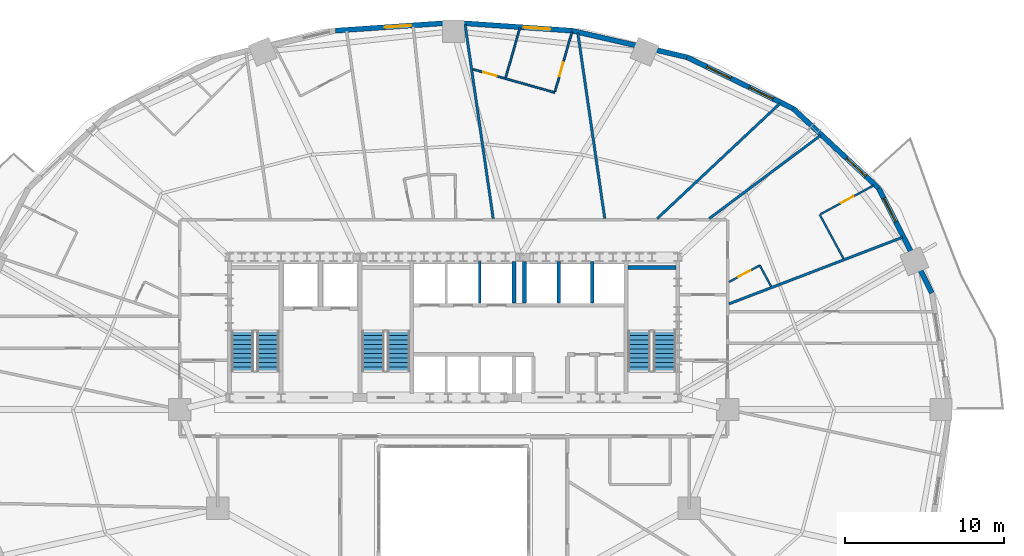
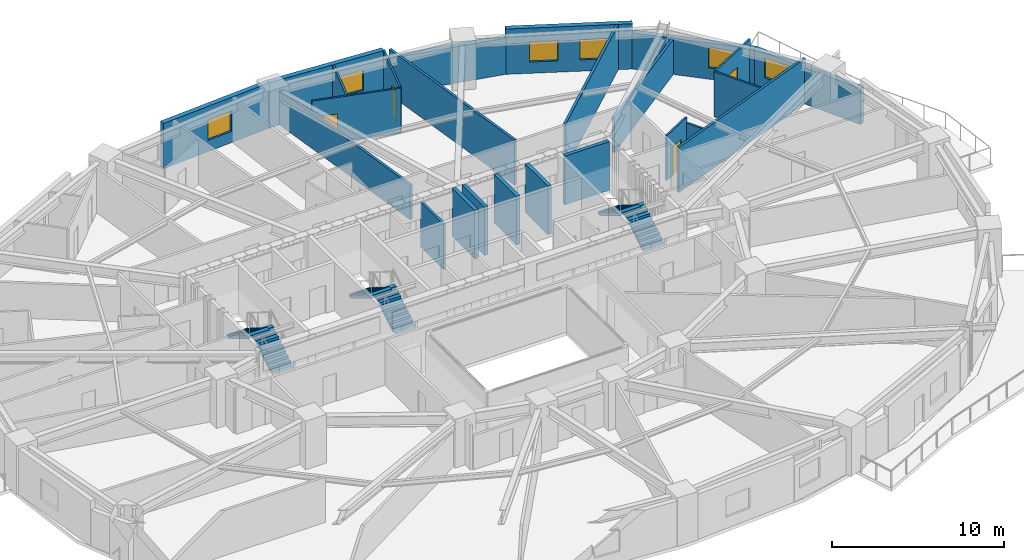
# One storey, part 13 of 17: 24 walls, 6 stair flights, 6 windows, 4 doors, 10 openings, 3 elements without a shape of their own.
"""IFC4 building model written with IfcOpenShell, lengths in metres."""

from ifc_helpers import new_model, si_unit, direction, frame, frame_2d, origin, place, context, subcontext, project, spatial, polyline, rectangle, outline, extrude, material, layer, layer_set, type_object, element, fill, aggregate, save


model = new_model("IFC4")

# Units and contexts
model_context = context("Model", 3, precision=1e-05, world=origin(), true_north=direction((0.0, 1.0)))
body_context = subcontext(model_context, "Body", "Model", "MODEL_VIEW")
ifc_project = project(units=[si_unit("LENGTHUNIT", "METRE"), si_unit("AREAUNIT", "SQUARE_METRE"), si_unit("VOLUMEUNIT", "CUBIC_METRE"), si_unit("PLANEANGLEUNIT", "RADIAN"), si_unit("MASSUNIT", "GRAM", prefix="KILO")], contexts=[model_context])

# Site, building, storey
site_placement = place(None, origin())
site = spatial("IfcSite", under=ifc_project, at=site_placement, CompositionType="ELEMENT")
building_placement = place(site_placement, origin())
building = spatial("IfcBuilding", under=site, at=building_placement, Name="Haldorwick Loom Tower", CompositionType="ELEMENT")
storey_placement = place(building_placement, frame((0.0, 0.0, 27.449951171875)))
storey = spatial("IfcBuildingStorey", under=building, at=storey_placement, Name="L06", CompositionType="ELEMENT", Elevation=27.449951171875)

# Wall, opening, window
ifc_material_1 = material(Name="Pressed Clay Face Brick and Insulated Masonry Backup Assembly", Category="masonry")
ifc_layer_1 = layer(ifc_material_1, 0.320068359375, Name="Pressed Clay Face Brick and Insulated Masonry Backup Assembly", Category="masonry")
ifc_layer_set_1 = layer_set([ifc_layer_1], Name="Pressed Clay Face Brick and Insulated Masonry Backup Assembly")
wall_type_1 = type_object("IfcWallType", Name="ARC-WL-EXT320", PredefinedType="STANDARD", material=ifc_layer_set_1)
wall_1_placement = place(storey_placement, frame((66.021728515625, 33.320556640625, 0.0), z_axis=(0.0, 0.0, 1.0), x_axis=(-0.452950855928, 0.891535485617, 0.0)))
wall_1 = element("IfcWall", 1, at=wall_1_placement, inside=storey, type_object=wall_type_1, Name="L06 Brick Pier and Spandrel Wall 2", PredefinedType="STANDARD", context=body_context, shape_type="SweptSolid", body=[
    extrude(rectangle(XDim=7.3583984375, YDim=0.320068359375, at=frame_2d((3.67919921875, 0.0))), origin(), (0.0, 0.0, 1.0), 2.569091796875),
])
opening_1_placement = place(wall_1_placement, frame((5.00927734375, 0.0, 0.800048828125)))
opening_1 = element("IfcOpeningElement", 2, at=opening_1_placement, cuts=wall_1, Name="Opening W-01B", PredefinedType="OPENING", context=body_context, shape_type="SweptSolid", body=[
    extrude(rectangle(XDim=1.64990234375, YDim=1.449951171875, at=frame_2d((0.824951171875, 0.72509765625))), frame((0.0, 0.169921875, 0.0), z_axis=(0.0, -1.0, 0.0), x_axis=(1.0, 0.0, 0.0)), (0.0, 0.0, 1.0), 0.340087890625),
])
ifc_material_2 = material(Name="Triple-Glazed Low-E Argon Insulated Glazing Unit", Category="glass")
window_type = type_object("IfcWindowType", Name="ARC-WIN-W165", PartitioningType="SINGLE_PANEL", PredefinedType="WINDOW", material=ifc_material_2)
window_1_placement = place(opening_1_placement, origin())
window_1 = element("IfcWindow", 3, at=window_1_placement, inside=storey, type_object=window_type, Name="L06 Deep-Set Zone 7A Window 2", OverallHeight=1.449951171875, OverallWidth=1.64990234375, PartitioningType="SINGLE_PANEL", PredefinedType="WINDOW", context=body_context, shape_type="SweptSolid", body=[
    extrude(rectangle(XDim=1.64990234375, YDim=1.449951171875, at=frame_2d((0.824951171875, 0.72509765625))), frame((0.0, 0.030029296875, 0.0), z_axis=(0.0, -1.0, 0.0), x_axis=(1.0, 0.0, 0.0)), (0.0, 0.0, 1.0), 0.06005859375),
])
fill(opening_1, window_1)

wall_2_placement = place(storey_placement, frame((62.688720703125, 39.880859375, 0.0), z_axis=(0.0, 0.0, 1.0), x_axis=(-0.73176101237, 0.681561311091, 0.0)))
wall_2 = element("IfcWall", 4, at=wall_2_placement, inside=storey, type_object=wall_type_1, Name="L06 Brick Pier and Spandrel Wall 3", PredefinedType="STANDARD", context=body_context, shape_type="SweptSolid", body=[
    extrude(rectangle(XDim=7.3583984375, YDim=0.320068359375, at=frame_2d((3.67919921875, 0.0))), origin(), (0.0, 0.0, 1.0), 2.569091796875),
])
opening_2_placement = place(wall_2_placement, frame((1.1181640625, 0.0, 0.800048828125)))
opening_2 = element("IfcOpeningElement", 5, at=opening_2_placement, cuts=wall_2, Name="Opening W-01B", PredefinedType="OPENING", context=body_context, shape_type="SweptSolid", body=[
    extrude(rectangle(XDim=1.64990234375, YDim=1.449951171875, at=frame_2d((0.824951171875, 0.72509765625))), frame((0.0, 0.169921875, 0.0), z_axis=(0.0, -1.0, 0.0), x_axis=(1.0, 0.0, 0.0)), (0.0, 0.0, 1.0), 0.340087890625),
])
window_2_placement = place(opening_2_placement, origin())
window_2 = element("IfcWindow", 6, at=window_2_placement, inside=storey, type_object=window_type, Name="L06 Deep-Set Zone 7A Window 3", OverallHeight=1.449951171875, OverallWidth=1.64990234375, PartitioningType="SINGLE_PANEL", PredefinedType="WINDOW", context=body_context, shape_type="SweptSolid", body=[
    extrude(rectangle(XDim=1.64990234375, YDim=1.449951171875, at=frame_2d((0.824951171875, 0.72509765625))), frame((0.0, 0.030029296875, 0.0), z_axis=(0.0, -1.0, 0.0), x_axis=(1.0, 0.0, 0.0)), (0.0, 0.0, 1.0), 0.06005859375),
])
fill(opening_2, window_2)

# Wall, openings, windows
wall_3_placement = place(storey_placement, frame((57.30419921875, 44.89599609375, 0.0), z_axis=(0.0, 0.0, 1.0), x_axis=(-0.900295710431, 0.435278800057, 0.0)))
wall_3 = element("IfcWall", 7, at=wall_3_placement, inside=storey, type_object=wall_type_1, Name="L06 Brick Pier and Spandrel Wall 4", PredefinedType="STANDARD", context=body_context, shape_type="SweptSolid", body=[
    extrude(rectangle(XDim=7.39697265625, YDim=0.320068359375, at=frame_2d((3.698486328125, 0.0))), origin(), (0.0, 0.0, 1.0), 3.2099609375),
])
opening_3_placement = place(wall_3_placement, frame((1.39404296875, 0.0, 0.800048828125)))
opening_3 = element("IfcOpeningElement", 8, at=opening_3_placement, cuts=wall_3, Name="Opening W-01B", PredefinedType="OPENING", context=body_context, shape_type="SweptSolid", body=[
    extrude(rectangle(XDim=1.64990234375, YDim=1.449951171875, at=frame_2d((0.824951171875, 0.72509765625))), frame((0.0, 0.169921875, 0.0), z_axis=(0.0, -1.0, 0.0), x_axis=(1.0, 0.0, 0.0)), (0.0, 0.0, 1.0), 0.340087890625),
])
opening_4_placement = place(wall_3_placement, frame((4.352783203125, 0.0, 0.800048828125)))
opening_4 = element("IfcOpeningElement", 9, at=opening_4_placement, cuts=wall_3, Name="Opening W-01B", PredefinedType="OPENING", context=body_context, shape_type="SweptSolid", body=[
    extrude(rectangle(XDim=1.64990234375, YDim=1.449951171875, at=frame_2d((0.824951171875, 0.72509765625))), frame((0.0, 0.169921875, 0.0), z_axis=(0.0, -1.0, 0.0), x_axis=(1.0, 0.0, 0.0)), (0.0, 0.0, 1.0), 0.340087890625),
])
window_3_placement = place(opening_3_placement, origin())
window_3 = element("IfcWindow", 10, at=window_3_placement, inside=storey, type_object=window_type, Name="L06 Deep-Set Zone 7A Window 4", OverallHeight=1.449951171875, OverallWidth=1.64990234375, PartitioningType="SINGLE_PANEL", PredefinedType="WINDOW", context=body_context, shape_type="SweptSolid", body=[
    extrude(rectangle(XDim=1.64990234375, YDim=1.449951171875, at=frame_2d((0.824951171875, 0.72509765625))), frame((0.0, 0.030029296875, 0.0), z_axis=(0.0, -1.0, 0.0), x_axis=(1.0, 0.0, 0.0)), (0.0, 0.0, 1.0), 0.06005859375),
])
fill(opening_3, window_3)
window_4_placement = place(opening_4_placement, origin())
window_4 = element("IfcWindow", 11, at=window_4_placement, inside=storey, type_object=window_type, Name="L06 Deep-Set Zone 7A Window 4", OverallHeight=1.449951171875, OverallWidth=1.64990234375, PartitioningType="SINGLE_PANEL", PredefinedType="WINDOW", context=body_context, shape_type="SweptSolid", body=[
    extrude(rectangle(XDim=1.64990234375, YDim=1.449951171875, at=frame_2d((0.824951171875, 0.72509765625))), frame((0.0, 0.030029296875, 0.0), z_axis=(0.0, -1.0, 0.0), x_axis=(1.0, 0.0, 0.0)), (0.0, 0.0, 1.0), 0.06005859375),
])
fill(opening_4, window_4)

# Wall
wall_4_placement = place(storey_placement, frame((50.644775390625, 48.11572265625, 0.0), z_axis=(0.0, 0.0, 1.0), x_axis=(-0.974522412345, 0.224290142088, 0.0)))
element("IfcWall", 12, at=wall_4_placement, inside=storey, type_object=wall_type_1, Name="L06 Brick Pier and Spandrel Wall 5", PredefinedType="STANDARD", context=body_context, shape_type="SweptSolid", body=[
    extrude(rectangle(XDim=7.422607421875, YDim=0.320068359375, at=frame_2d((3.71142578125, 0.0))), origin(), (0.0, 0.0, 1.0), 2.569091796875),
])

# Wall, opening, window
wall_5_placement = place(storey_placement, frame((43.411376953125, 49.780517578125, 0.0), z_axis=(0.0, 0.0, 1.0), x_axis=(-0.997645161917, 0.068586667092, 0.0)))
wall_5 = element("IfcWall", 13, at=wall_5_placement, inside=storey, type_object=wall_type_1, Name="L06 Brick Pier and Spandrel Wall 6", PredefinedType="STANDARD", context=body_context, shape_type="SweptSolid", body=[
    extrude(rectangle(XDim=7.428955078125, YDim=0.320068359375, at=frame_2d((3.71435546875, 0.0))), origin(), (0.0, 0.0, 1.0), 3.2099609375),
])
opening_5_placement = place(wall_5_placement, frame((1.35986328125, 0.0, 0.800048828125)))
opening_5 = element("IfcOpeningElement", 14, at=opening_5_placement, cuts=wall_5, Name="Opening W-01B", PredefinedType="OPENING", context=body_context, shape_type="SweptSolid", body=[
    extrude(rectangle(XDim=1.64990234375, YDim=1.449951171875, at=frame_2d((0.824951171875, 0.72509765625))), frame((0.0, 0.169921875, 0.0), z_axis=(0.0, -1.0, 0.0), x_axis=(1.0, 0.0, 0.0)), (0.0, 0.0, 1.0), 0.340087890625),
])
window_5_placement = place(opening_5_placement, origin())
window_5 = element("IfcWindow", 15, at=window_5_placement, inside=storey, type_object=window_type, Name="L06 Deep-Set Zone 7A Window 6", OverallHeight=1.449951171875, OverallWidth=1.64990234375, PartitioningType="SINGLE_PANEL", PredefinedType="WINDOW", context=body_context, shape_type="SweptSolid", body=[
    extrude(rectangle(XDim=1.64990234375, YDim=1.449951171875, at=frame_2d((0.824951171875, 0.72509765625))), frame((0.0, 0.030029296875, 0.0), z_axis=(0.0, -1.0, 0.0), x_axis=(1.0, 0.0, 0.0)), (0.0, 0.0, 1.0), 0.06005859375),
])
fill(opening_5, window_5)

wall_6_placement = place(storey_placement, frame((36.0, 50.2900390625, 0.0), z_axis=(0.0, 0.0, 1.0), x_axis=(-0.997645161917, -0.068586667092, 0.0)))
wall_6 = element("IfcWall", 16, at=wall_6_placement, inside=storey, type_object=wall_type_1, Name="L06 Brick Pier and Spandrel Wall 7", PredefinedType="STANDARD", context=body_context, shape_type="SweptSolid", body=[
    extrude(rectangle(XDim=7.428955078125, YDim=0.320068359375, at=frame_2d((3.71435546875, 0.0))), origin(), (0.0, 0.0, 1.0), 3.2099609375),
])
opening_6_placement = place(wall_6_placement, frame((2.679443359375, 0.0, 0.800048828125)))
opening_6 = element("IfcOpeningElement", 17, at=opening_6_placement, cuts=wall_6, Name="Opening W-01B", PredefinedType="OPENING", context=body_context, shape_type="SweptSolid", body=[
    extrude(rectangle(XDim=1.64990234375, YDim=1.449951171875, at=frame_2d((0.824951171875, 0.72509765625))), frame((0.0, 0.169921875, 0.0), z_axis=(0.0, -1.0, 0.0), x_axis=(1.0, 0.0, 0.0)), (0.0, 0.0, 1.0), 0.340087890625),
])
window_6_placement = place(opening_6_placement, origin())
window_6 = element("IfcWindow", 18, at=window_6_placement, inside=storey, type_object=window_type, Name="L06 Deep-Set Zone 7A Window 7", OverallHeight=1.449951171875, OverallWidth=1.64990234375, PartitioningType="SINGLE_PANEL", PredefinedType="WINDOW", context=body_context, shape_type="SweptSolid", body=[
    extrude(rectangle(XDim=1.64990234375, YDim=1.449951171875, at=frame_2d((0.824951171875, 0.72509765625))), frame((0.0, 0.030029296875, 0.0), z_axis=(0.0, -1.0, 0.0), x_axis=(1.0, 0.0, 0.0)), (0.0, 0.0, 1.0), 0.06005859375),
])
fill(opening_6, window_6)

# Walls
ifc_material_3 = material(Name="Fire-Rated Type X Gypsum Stud Assembly EI 60")
ifc_layer_2 = layer(ifc_material_3, 0.159912109375, Name="Fire-Rated Type X Gypsum Stud Assembly EI 60")
ifc_layer_set_2 = layer_set([ifc_layer_2], Name="Fire-Rated Type X Gypsum Stud Assembly EI 60")
wall_type_2 = type_object("IfcWallType", Name="ARC-WL-FIRE160", PredefinedType="PARTITIONING", material=ifc_layer_set_2)
wall_7_placement = place(storey_placement, frame((38.488037109375, 37.98291015625, 0.0), z_axis=(0.0, 0.0, 1.0), x_axis=(-0.143532305052, 0.989645632237, 0.0)))
element("IfcWall", 19, at=wall_7_placement, inside=storey, type_object=wall_type_2, Name="L06 Residential Fire Partition L06-UPN-17", PredefinedType="PARTITIONING", context=body_context, shape_type="SweptSolid", body=[
    extrude(rectangle(XDim=12.320068359375, YDim=0.159912109375, at=frame_2d((6.16015625, 0.0))), origin(), (0.0, 0.0, 1.0), 2.489990234375),
])
wall_8_placement = place(storey_placement, frame((45.488037109375, 37.98291015625, 0.0), z_axis=(0.0, 0.0, 1.0), x_axis=(-0.143536305261, 0.989645052063, 0.0)))
element("IfcWall", 20, at=wall_8_placement, inside=storey, type_object=wall_type_2, Name="L06 Residential Fire Partition L06-UPN-18", PredefinedType="PARTITIONING", context=body_context, shape_type="SweptSolid", body=[
    extrude(rectangle(XDim=11.763427734375, YDim=0.159912109375, at=frame_2d((5.8818359375, 0.0))), origin(), (0.0, 0.0, 1.0), 3.195068359375),
])
wall_9_placement = place(storey_placement, frame((53.282958984375, 32.63134765625, 0.0), z_axis=(0.0, 0.0, 1.0), x_axis=(0.933635454627, 0.358224563457, 0.0)))
element("IfcWall", 21, at=wall_9_placement, inside=storey, type_object=wall_type_2, Name="L06 Suite Split Wall", PredefinedType="PARTITIONING", context=body_context, shape_type="SweptSolid", body=[
    extrude(rectangle(XDim=11.6669921875, YDim=0.159912109375, at=frame_2d((5.83349609375, 0.0))), origin(), (0.0, 0.0, 1.0), 3.195068359375),
])
wall_10_placement = place(storey_placement, frame((52.041748046875, 37.98291015625, 0.0), z_axis=(0.0, 0.0, 1.0), x_axis=(0.801154220658, 0.59845794733, 0.0)))
element("IfcWall", 22, at=wall_10_placement, inside=storey, type_object=wall_type_2, Name="L06 Suite Split Wall", PredefinedType="PARTITIONING", context=body_context, shape_type="SweptSolid", body=[
    extrude(rectangle(XDim=8.72021484375, YDim=0.159912109375, at=frame_2d((4.360107421875, 0.0))), origin(), (0.0, 0.0, 1.0), 2.489990234375),
])
wall_11_placement = place(storey_placement, frame((48.777099609375, 37.98291015625, 0.0), z_axis=(0.0, 0.0, 1.0), x_axis=(0.729402561597, 0.684084719267, 0.0)))
element("IfcWall", 23, at=wall_11_placement, inside=storey, type_object=wall_type_2, Name="L06 Suite Split Wall", PredefinedType="PARTITIONING", context=body_context, shape_type="SweptSolid", body=[
    extrude(rectangle(XDim=10.5751953125, YDim=0.159912109375, at=frame_2d((5.28759765625, 0.0))), origin(), (0.0, 0.0, 1.0), 3.195068359375),
])

# Wall, opening, door
ifc_material_4 = material(Name="Acoustic Gypsum Stud Assembly STC 55")
ifc_layer_3 = layer(ifc_material_4, 0.1201171875, Name="Acoustic Gypsum Stud Assembly STC 55")
ifc_layer_set_3 = layer_set([ifc_layer_3], Name="Acoustic Gypsum Stud Assembly STC 55")
wall_type_3 = type_object("IfcWallType", Name="ARC-WL-PART120", PredefinedType="PARTITIONING", material=ifc_layer_set_3)
wall_12_placement = place(storey_placement, frame((42.347900390625, 45.894287109375, 0.0), z_axis=(0.0, 0.0, 1.0), x_axis=(-0.961845969805, 0.273591539286, 0.0)))
wall_12 = element("IfcWall", 24, at=wall_12_placement, inside=storey, type_object=wall_type_3, Name="L06 Unit 06F Interior Partition", PredefinedType="PARTITIONING", context=body_context, shape_type="SweptSolid", body=[
    extrude(rectangle(XDim=5.3388671875, YDim=0.1201171875, at=frame_2d((2.66943359375, 0.0))), origin(), (0.0, 0.0, 1.0), 3.195068359375),
])
opening_7_placement = place(wall_12_placement, frame((3.78662109375, 0.0, 0.0)))
opening_7 = element("IfcOpeningElement", 25, at=opening_7_placement, cuts=wall_12, Name="Opening D-BT88", PredefinedType="OPENING", context=body_context, shape_type="SweptSolid", body=[
    extrude(rectangle(XDim=0.8798828125, YDim=2.02001953125, at=frame_2d((0.43994140625, 1.010009765625))), frame((0.0, 0.070068359375, 0.0), z_axis=(0.0, -1.0, 0.0), x_axis=(1.0, 0.0, 0.0)), (0.0, 0.0, 1.0), 0.14013671875),
])
ifc_material_5 = material(Name="Solid Core Birch Architectural Door")
door_type_1 = type_object("IfcDoorType", Name="ARC-DR-BATH88", OperationType="NOTDEFINED", PredefinedType="DOOR", material=ifc_material_5)
door_1_placement = place(opening_7_placement, origin())
door_1 = element("IfcDoor", 26, at=door_1_placement, inside=storey, type_object=door_type_1, Name="L06 Unit 06F Kitchen and Living Room to Unit 06F Bathroom Door", OperationType="SINGLE_SWING_LEFT", OverallHeight=2.02001953125, OverallWidth=0.8798828125, PredefinedType="DOOR", context=body_context, shape_type="SweptSolid", body=[
    extrude(rectangle(XDim=0.8798828125, YDim=2.02001953125, at=frame_2d((0.43994140625, 1.010009765625))), frame((0.0, 0.02490234375, 0.0), z_axis=(0.0, -1.0, 0.0), x_axis=(1.0, 0.0, 0.0)), (0.0, 0.0, 1.0), 0.050048828125),
])
fill(opening_7, door_1)

wall_13_placement = place(storey_placement, frame((42.364990234375, 45.955078125, 0.0), z_axis=(0.0, 0.0, 1.0), x_axis=(0.273630310906, 0.961834940597, 0.0)))
wall_13 = element("IfcWall", 27, at=wall_13_placement, inside=storey, type_object=wall_type_3, Name="L06 Unit 06F Interior Partition", PredefinedType="PARTITIONING", context=body_context, shape_type="SweptSolid", body=[
    extrude(rectangle(XDim=3.902587890625, YDim=0.1201171875, at=frame_2d((1.951171875, 0.0))), origin(), (0.0, 0.0, 1.0), 3.195068359375),
])
opening_8_placement = place(wall_13_placement, frame((0.9951171875, 0.0, 0.0)))
opening_8 = element("IfcOpeningElement", 28, at=opening_8_placement, cuts=wall_13, Name="Opening D-IN90", PredefinedType="OPENING", context=body_context, shape_type="SweptSolid", body=[
    extrude(rectangle(XDim=0.89990234375, YDim=2.0400390625, at=frame_2d((0.449951171875, 1.02001953125))), frame((0.0, 0.070068359375, 0.0), z_axis=(0.0, -1.0, 0.0), x_axis=(1.0, 0.0, 0.0)), (0.0, 0.0, 1.0), 0.14013671875),
])
door_type_2 = type_object("IfcDoorType", Name="ARC-DR-INT90", OperationType="NOTDEFINED", PredefinedType="DOOR", material=ifc_material_5)
door_2_placement = place(opening_8_placement, origin())
door_2 = element("IfcDoor", 29, at=door_2_placement, inside=storey, type_object=door_type_2, Name="L06 Unit 06F Bedroom 1 to Unit 06F Kitchen and Living Room Door", OperationType="SINGLE_SWING_LEFT", OverallHeight=2.0400390625, OverallWidth=0.89990234375, PredefinedType="DOOR", context=body_context, shape_type="SweptSolid", body=[
    extrude(rectangle(XDim=0.89990234375, YDim=2.0400390625, at=frame_2d((0.449951171875, 1.02001953125))), frame((0.0, 0.02490234375, 0.0), z_axis=(0.0, -1.0, 0.0), x_axis=(1.0, 0.0, 0.0)), (0.0, 0.0, 1.0), 0.050048828125),
])
fill(opening_8, door_2)

# Walls
wall_14_placement = place(storey_placement, frame((39.272216796875, 46.834716796875, 0.0), z_axis=(0.0, 0.0, 1.0), x_axis=(0.273592038326, 0.961845827856, 0.0)))
element("IfcWall", 30, at=wall_14_placement, inside=storey, type_object=wall_type_3, Name="L06 Unit 06F Interior Partition", PredefinedType="PARTITIONING", context=body_context, shape_type="SweptSolid", body=[
    extrude(rectangle(XDim=3.2275390625, YDim=0.1201171875, at=frame_2d((1.61376953125, 0.0))), origin(), (0.0, 0.0, 1.0), 3.195068359375),
])
wall_15_placement = place(storey_placement, frame((55.9267578125, 33.734619140625, 0.0), z_axis=(0.0, 0.0, 1.0), x_axis=(-0.47536658828, 0.879787819163, 0.0)))
element("IfcWall", 31, at=wall_15_placement, inside=storey, type_object=wall_type_3, Name="L06 Unit 06K Interior Partition", PredefinedType="PARTITIONING", context=body_context, shape_type="SweptSolid", body=[
    extrude(rectangle(XDim=1.493408203125, YDim=0.1201171875, at=frame_2d((0.74658203125, 0.0))), origin(), (0.0, 0.0, 1.0), 2.8271484375),
])

# Wall, opening, door
wall_16_placement = place(storey_placement, frame((53.282958984375, 34.00341796875, 0.0), z_axis=(0.0, 0.0, 1.0), x_axis=(0.879735392277, 0.47546360489, 0.0)))
wall_16 = element("IfcWall", 32, at=wall_16_placement, inside=storey, type_object=wall_type_3, Name="L06 Unit 06K Interior Partition", PredefinedType="PARTITIONING", context=body_context, shape_type="SweptSolid", body=[
    extrude(rectangle(XDim=2.1982421875, YDim=0.1201171875, at=frame_2d((1.09912109375, 0.0))), origin(), (0.0, 0.0, 1.0), 3.195068359375),
])
opening_9_placement = place(wall_16_placement, frame((0.658935546875, 0.0, 0.0)))
opening_9 = element("IfcOpeningElement", 33, at=opening_9_placement, cuts=wall_16, Name="Opening D-BT88", PredefinedType="OPENING", context=body_context, shape_type="SweptSolid", body=[
    extrude(rectangle(XDim=0.8798828125, YDim=2.02001953125, at=frame_2d((0.43994140625, 1.010009765625))), frame((0.0, 0.070068359375, 0.0), z_axis=(0.0, -1.0, 0.0), x_axis=(1.0, 0.0, 0.0)), (0.0, 0.0, 1.0), 0.14013671875),
])
door_3_placement = place(opening_9_placement, origin())
door_3 = element("IfcDoor", 34, at=door_3_placement, inside=storey, type_object=door_type_1, Name="L06 Unit 06K Kitchen and Living Room to Unit 06K Bathroom Door", OperationType="SINGLE_SWING_RIGHT", OverallHeight=2.02001953125, OverallWidth=0.8798828125, PredefinedType="DOOR", context=body_context, shape_type="SweptSolid", body=[
    extrude(rectangle(XDim=0.8798828125, YDim=2.02001953125, at=frame_2d((0.43994140625, 1.010009765625))), frame((0.0, 0.02490234375, 0.0), z_axis=(0.0, -1.0, 0.0), x_axis=(1.0, 0.0, 0.0)), (0.0, 0.0, 1.0), 0.050048828125),
])
fill(opening_9, door_3)

# Wall
wall_17_placement = place(storey_placement, frame((60.4697265625, 35.4775390625, 0.0), z_axis=(0.0, 0.0, 1.0), x_axis=(-0.475394876825, 0.87977253372, 0.0)))
element("IfcWall", 35, at=wall_17_placement, inside=storey, type_object=wall_type_3, Name="L06 Unit 06K Interior Partition", PredefinedType="PARTITIONING", context=body_context, shape_type="SweptSolid", body=[
    extrude(rectangle(XDim=3.13525390625, YDim=0.1201171875, at=frame_2d((1.567626953125, 0.0))), origin(), (0.0, 0.0, 1.0), 3.195068359375),
])

# Wall, opening, door
wall_18_placement = place(storey_placement, frame((59.03466796875, 38.265869140625, 0.0), z_axis=(0.0, 0.0, 1.0), x_axis=(0.879792772197, 0.475357421305, 0.0)))
wall_18 = element("IfcWall", 36, at=wall_18_placement, inside=storey, type_object=wall_type_3, Name="L06 Unit 06K Interior Partition", PredefinedType="PARTITIONING", context=body_context, shape_type="SweptSolid", body=[
    extrude(rectangle(XDim=3.807373046875, YDim=0.1201171875, at=frame_2d((1.90380859375, 0.0))), origin(), (0.0, 0.0, 1.0), 3.195068359375),
])
opening_10_placement = place(wall_18_placement, frame((1.45361328125, 0.0, 0.0)))
opening_10 = element("IfcOpeningElement", 37, at=opening_10_placement, cuts=wall_18, Name="Opening D-IN90", PredefinedType="OPENING", context=body_context, shape_type="SweptSolid", body=[
    extrude(rectangle(XDim=0.89990234375, YDim=2.0400390625, at=frame_2d((0.449951171875, 1.02001953125))), frame((0.0, 0.070068359375, 0.0), z_axis=(0.0, -1.0, 0.0), x_axis=(1.0, 0.0, 0.0)), (0.0, 0.0, 1.0), 0.14013671875),
])
door_4_placement = place(opening_10_placement, origin())
door_4 = element("IfcDoor", 38, at=door_4_placement, inside=storey, type_object=door_type_2, Name="L06 Unit 06K Kitchen and Living Room to Unit 06K Bedroom 1 Door", OperationType="SINGLE_SWING_LEFT", OverallHeight=2.0400390625, OverallWidth=0.89990234375, PredefinedType="DOOR", context=body_context, shape_type="SweptSolid", body=[
    extrude(rectangle(XDim=0.89990234375, YDim=2.0400390625, at=frame_2d((0.449951171875, 1.02001953125))), frame((0.0, 0.02490234375, 0.0), z_axis=(0.0, -1.0, 0.0), x_axis=(1.0, 0.0, 0.0)), (0.0, 0.0, 1.0), 0.050048828125),
])
fill(opening_10, door_4)

# Walls
ifc_material_6 = material(Name="Fire-Rated Type X Gypsum Stud Assembly EI 120")
ifc_layer_4 = layer(ifc_material_6, 0.1650390625, Name="Fire-Rated Type X Gypsum Stud Assembly EI 120")
ifc_layer_set_4 = layer_set([ifc_layer_4], Name="Fire-Rated Type X Gypsum Stud Assembly EI 120")
wall_type_4 = type_object("IfcWallType", Name="ARC-WL-SHAFT160", PredefinedType="MOVABLE", material=ifc_layer_set_4)
wall_19_placement = place(storey_placement, frame((37.64990234375, 32.673095703125, 0.0), z_axis=(0.0, 0.0, 1.0), x_axis=(0.0, 1.0, 0.0)))
element("IfcWall", 39, at=wall_19_placement, inside=storey, type_object=wall_type_4, Name="L06 Low-Rise Hoistway Divider 2", PredefinedType="MOVABLE", context=body_context, shape_type="SweptSolid", body=[
    extrude(rectangle(XDim=2.6240234375, YDim=0.159912109375, at=frame_2d((1.31201171875, 0.0))), origin(), (0.0, 0.0, 1.0), 3.195068359375),
])
ifc_material_7 = material(Name="Concrete C50 (50 MPa)", Category="concrete")
ifc_layer_5 = layer(ifc_material_7, 0.239990234375, Name="Concrete C50 (50 MPa)", Category="concrete")
ifc_layer_set_5 = layer_set([ifc_layer_5], Name="Concrete C50 (50 MPa)")
wall_type_5 = type_object("IfcWallType", Name="STR-WL-SHAFT240", PredefinedType="SHEAR", material=ifc_layer_set_5)
wall_20_placement = place(storey_placement, frame((46.952880859375, 34.919921875, 0.0), z_axis=(0.0, 0.0, 1.0), x_axis=(1.0, 0.0, 0.0)))
element("IfcWall", 40, at=wall_20_placement, inside=storey, type_object=wall_type_5, Name="L06 Core Shear Wall 4N", PredefinedType="SHEAR", context=body_context, shape_type="SweptSolid", body=[
    extrude(rectangle(XDim=2.994140625, YDim=0.239990234375, at=frame_2d((1.4970703125, 0.0))), origin(), (0.0, 0.0, 1.0), 3.449951171875),
])
for number, where, z_axis, x_axis, name in (
    (41, (39.800048828125, 32.673095703125, 0.0), (0.0, 0.0, 1.0), (0.0, 1.0, 0.0), "L06 Core Shear Wall LHW"),
    (42, (40.449951171875, 32.673095703125, 0.0), (0.0, 0.0, 1.0), (0.0, 1.0, 0.0), "L06 Core Shear Wall H0"),
    (43, (42.60009765625, 32.673095703125, 0.0), (0.0, 0.0, 1.0), (0.0, 1.0, 0.0), "L06 Core Shear Wall H1"),
    (44, (44.699951171875, 32.673095703125, 0.0), (0.0, 0.0, 1.0), (0.0, 1.0, 0.0), "L06 Core Shear Wall H2"),
):
    element("IfcWall", number, at=place(storey_placement, frame(where, z_axis=z_axis, x_axis=x_axis)), inside=storey, type_object=wall_type_5, Name=name, PredefinedType="SHEAR", context=body_context, shape_type="SweptSolid", body=[
        extrude(rectangle(XDim=2.6240234375, YDim=0.239990234375, at=frame_2d((1.31201171875, 0.0))), origin(), (0.0, 0.0, 1.0), 3.449951171875),
    ])

# Stair, stair flights
ifc_material_8 = material(Name="Concrete C40 (40 MPa)", Category="concrete")
stair_type = type_object("IfcStairType", Name="STR-STR-CORE", PredefinedType="HALF_TURN_STAIR", material=ifc_material_8)
stair_1_placement = place(storey_placement, origin())
stair_1 = element("IfcStair", 45, at=stair_1_placement, inside=storey, type_object=stair_type, Name="L06 Exit Stair ST-01", PredefinedType="HALF_TURN_STAIR")
stair_flight_type = type_object("IfcStairFlightType", Name="STR-STF-1250", PredefinedType="STRAIGHT", material=ifc_material_8)
stair_flight_1_placement = place(storey_placement, frame((24.35009765625, 28.39990234375, 0.0), z_axis=(0.0, 0.0, 1.0), x_axis=(0.0, 1.0, 0.0)))
stair_flight_1 = element("IfcStairFlight", 46, at=stair_flight_1_placement, type_object=stair_flight_type, Name="ST-01 flight 1", NumberOfRisers=10, NumberOfTreads=9, PredefinedType="STRAIGHT", RiserHeight=0.1725, TreadLength=0.28, context=body_context, shape_type="SweptSolid", body=[
    extrude(outline(polyline([(0.0, 0.0), (0.0, 0.172607421875), (0.280029296875, 0.172607421875), (0.280029296875, 0.344970703125), (0.56005859375, 0.344970703125), (0.56005859375, 0.517578125), (0.840087890625, 0.517578125), (0.840087890625, 0.68994140625), (1.1201171875, 0.68994140625), (1.1201171875, 0.862548828125), (1.39990234375, 0.862548828125), (1.39990234375, 1.034912109375), (1.679931640625, 1.034912109375), (1.679931640625, 1.20751953125), (1.9599609375, 1.20751953125), (1.9599609375, 1.3798828125), (2.239990234375, 1.3798828125), (2.239990234375, 1.552490234375), (2.52001953125, 1.552490234375), (2.52001953125, 1.72509765625), (2.52001953125, 1.37646484375), (0.285888671875, 0.0), (0.0, 0.0)])), frame((0.0, 0.699951171875, 0.0), z_axis=(0.0, -1.0, 0.0), x_axis=(1.0, 0.0, 0.0)), (0.0, 0.0, 1.0), 1.39990234375),
])
stair_flight_2_placement = place(storey_placement, frame((22.75, 30.919921875, 1.72509765625), z_axis=(0.0, 0.0, 1.0), x_axis=(0.0, -1.0, 0.0)))
stair_flight_2 = element("IfcStairFlight", 47, at=stair_flight_2_placement, type_object=stair_flight_type, Name="ST-01 flight 2", NumberOfRisers=10, NumberOfTreads=9, PredefinedType="STRAIGHT", RiserHeight=0.1725, TreadLength=0.28, context=body_context, shape_type="SweptSolid", body=[
    extrude(outline(polyline([(0.0, 0.0), (0.0, 0.172607421875), (0.280029296875, 0.172607421875), (0.280029296875, 0.344970703125), (0.56005859375, 0.344970703125), (0.56005859375, 0.517578125), (0.840087890625, 0.517578125), (0.840087890625, 0.68994140625), (1.1201171875, 0.68994140625), (1.1201171875, 0.862548828125), (1.39990234375, 0.862548828125), (1.39990234375, 1.034912109375), (1.679931640625, 1.034912109375), (1.679931640625, 1.20751953125), (1.9599609375, 1.20751953125), (1.9599609375, 1.3798828125), (2.239990234375, 1.3798828125), (2.239990234375, 1.552490234375), (2.52001953125, 1.552490234375), (2.52001953125, 1.72509765625), (2.52001953125, 1.37646484375), (0.285888671875, 0.0), (0.0, 0.0)])), frame((0.0, 0.699951171875, 0.0), z_axis=(0.0, -1.0, 0.0), x_axis=(1.0, 0.0, 0.0)), (0.0, 0.0, 1.0), 1.39990234375),
])
aggregate(stair_1, [stair_flight_1, stair_flight_2])

stair_2_placement = place(storey_placement, origin())
stair_2 = element("IfcStair", 48, at=stair_2_placement, inside=storey, type_object=stair_type, Name="L06 Exit Stair ST-02", PredefinedType="HALF_TURN_STAIR")
stair_flight_3_placement = place(storey_placement, frame((49.25, 28.39990234375, 0.0), z_axis=(0.0, 0.0, 1.0), x_axis=(0.0, 1.0, 0.0)))
stair_flight_3 = element("IfcStairFlight", 49, at=stair_flight_3_placement, type_object=stair_flight_type, Name="ST-02 flight 1", NumberOfRisers=10, NumberOfTreads=9, PredefinedType="STRAIGHT", RiserHeight=0.1725, TreadLength=0.28, context=body_context, shape_type="SweptSolid", body=[
    extrude(outline(polyline([(0.0, 0.0), (0.0, 0.172607421875), (0.280029296875, 0.172607421875), (0.280029296875, 0.344970703125), (0.56005859375, 0.344970703125), (0.56005859375, 0.517578125), (0.840087890625, 0.517578125), (0.840087890625, 0.68994140625), (1.1201171875, 0.68994140625), (1.1201171875, 0.862548828125), (1.39990234375, 0.862548828125), (1.39990234375, 1.034912109375), (1.679931640625, 1.034912109375), (1.679931640625, 1.20751953125), (1.9599609375, 1.20751953125), (1.9599609375, 1.3798828125), (2.239990234375, 1.3798828125), (2.239990234375, 1.552490234375), (2.52001953125, 1.552490234375), (2.52001953125, 1.72509765625), (2.52001953125, 1.37646484375), (0.285888671875, 0.0), (0.0, 0.0)])), frame((0.0, 0.699951171875, 0.0), z_axis=(0.0, -1.0, 0.0), x_axis=(1.0, 0.0, 0.0)), (0.0, 0.0, 1.0), 1.39990234375),
])
stair_flight_4_placement = place(storey_placement, frame((47.64990234375, 30.919921875, 1.72509765625), z_axis=(0.0, 0.0, 1.0), x_axis=(0.0, -1.0, 0.0)))
stair_flight_4 = element("IfcStairFlight", 50, at=stair_flight_4_placement, type_object=stair_flight_type, Name="ST-02 flight 2", NumberOfRisers=10, NumberOfTreads=9, PredefinedType="STRAIGHT", RiserHeight=0.1725, TreadLength=0.28, context=body_context, shape_type="SweptSolid", body=[
    extrude(outline(polyline([(0.0, 0.0), (0.0, 0.172607421875), (0.280029296875, 0.172607421875), (0.280029296875, 0.344970703125), (0.56005859375, 0.344970703125), (0.56005859375, 0.517578125), (0.840087890625, 0.517578125), (0.840087890625, 0.68994140625), (1.1201171875, 0.68994140625), (1.1201171875, 0.862548828125), (1.39990234375, 0.862548828125), (1.39990234375, 1.034912109375), (1.679931640625, 1.034912109375), (1.679931640625, 1.20751953125), (1.9599609375, 1.20751953125), (1.9599609375, 1.3798828125), (2.239990234375, 1.3798828125), (2.239990234375, 1.552490234375), (2.52001953125, 1.552490234375), (2.52001953125, 1.72509765625), (2.52001953125, 1.37646484375), (0.285888671875, 0.0), (0.0, 0.0)])), frame((0.0, 0.699951171875, 0.0), z_axis=(0.0, -1.0, 0.0), x_axis=(1.0, 0.0, 0.0)), (0.0, 0.0, 1.0), 1.39990234375),
])
aggregate(stair_2, [stair_flight_3, stair_flight_4])

stair_3_placement = place(storey_placement, origin())
stair_3 = element("IfcStair", 51, at=stair_3_placement, inside=storey, type_object=stair_type, Name="L06 Exit Stair ST-03", PredefinedType="HALF_TURN_STAIR")
stair_flight_5_placement = place(storey_placement, frame((32.550048828125, 28.39990234375, 0.0), z_axis=(0.0, 0.0, 1.0), x_axis=(0.0, 1.0, 0.0)))
stair_flight_5 = element("IfcStairFlight", 52, at=stair_flight_5_placement, type_object=stair_flight_type, Name="ST-03 flight 1", NumberOfRisers=10, NumberOfTreads=9, PredefinedType="STRAIGHT", RiserHeight=0.1725, TreadLength=0.28, context=body_context, shape_type="SweptSolid", body=[
    extrude(outline(polyline([(0.0, 0.0), (0.0, 0.172607421875), (0.280029296875, 0.172607421875), (0.280029296875, 0.344970703125), (0.56005859375, 0.344970703125), (0.56005859375, 0.517578125), (0.840087890625, 0.517578125), (0.840087890625, 0.68994140625), (1.1201171875, 0.68994140625), (1.1201171875, 0.862548828125), (1.39990234375, 0.862548828125), (1.39990234375, 1.034912109375), (1.679931640625, 1.034912109375), (1.679931640625, 1.20751953125), (1.9599609375, 1.20751953125), (1.9599609375, 1.3798828125), (2.239990234375, 1.3798828125), (2.239990234375, 1.552490234375), (2.52001953125, 1.552490234375), (2.52001953125, 1.72509765625), (2.52001953125, 1.37646484375), (0.285888671875, 0.0), (0.0, 0.0)])), frame((0.0, 0.699951171875, 0.0), z_axis=(0.0, -1.0, 0.0), x_axis=(1.0, 0.0, 0.0)), (0.0, 0.0, 1.0), 1.39990234375),
])
stair_flight_6_placement = place(storey_placement, frame((30.949951171875, 30.919921875, 1.72509765625), z_axis=(0.0, 0.0, 1.0), x_axis=(0.0, -1.0, 0.0)))
stair_flight_6 = element("IfcStairFlight", 53, at=stair_flight_6_placement, type_object=stair_flight_type, Name="ST-03 flight 2", NumberOfRisers=10, NumberOfTreads=9, PredefinedType="STRAIGHT", RiserHeight=0.1725, TreadLength=0.28, context=body_context, shape_type="SweptSolid", body=[
    extrude(outline(polyline([(0.0, 0.0), (0.0, 0.172607421875), (0.280029296875, 0.172607421875), (0.280029296875, 0.344970703125), (0.56005859375, 0.344970703125), (0.56005859375, 0.517578125), (0.840087890625, 0.517578125), (0.840087890625, 0.68994140625), (1.1201171875, 0.68994140625), (1.1201171875, 0.862548828125), (1.39990234375, 0.862548828125), (1.39990234375, 1.034912109375), (1.679931640625, 1.034912109375), (1.679931640625, 1.20751953125), (1.9599609375, 1.20751953125), (1.9599609375, 1.3798828125), (2.239990234375, 1.3798828125), (2.239990234375, 1.552490234375), (2.52001953125, 1.552490234375), (2.52001953125, 1.72509765625), (2.52001953125, 1.37646484375), (0.285888671875, 0.0), (0.0, 0.0)])), frame((0.0, 0.699951171875, 0.0), z_axis=(0.0, -1.0, 0.0), x_axis=(1.0, 0.0, 0.0)), (0.0, 0.0, 1.0), 1.39990234375),
])
aggregate(stair_3, [stair_flight_5, stair_flight_6])

save(model, "model.ifc")
